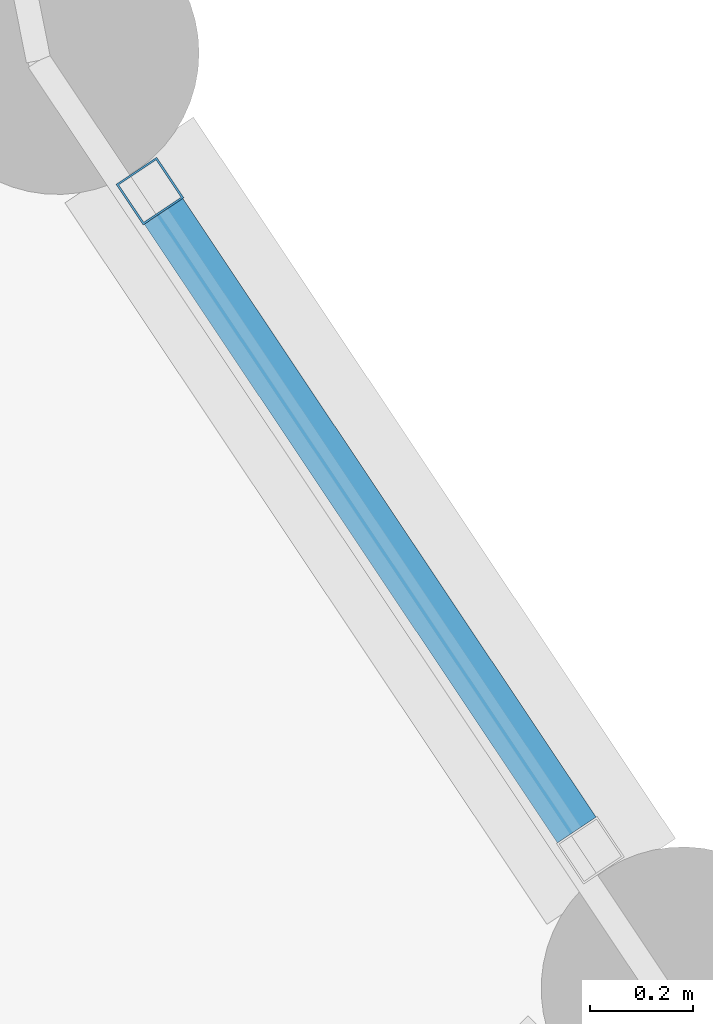
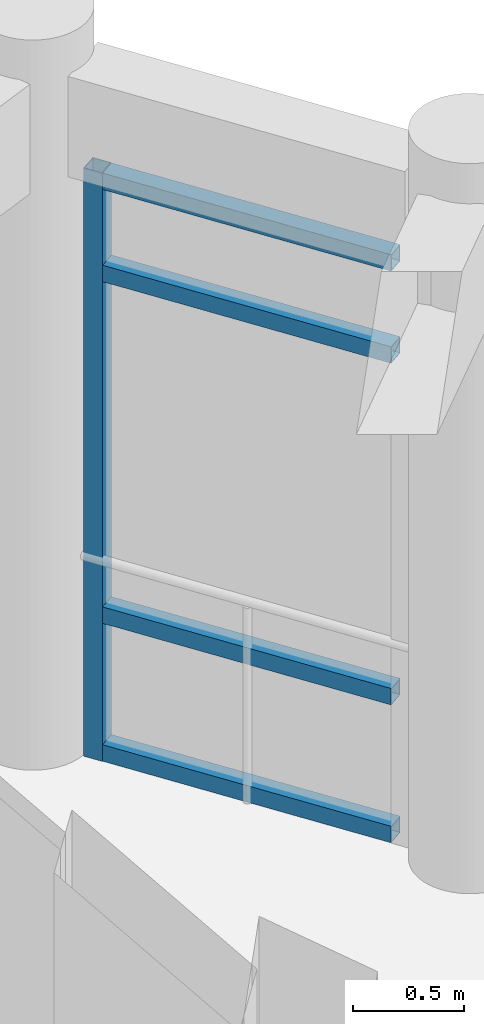
# One storey, part 9 of 159: 5 members, 1 element without a shape of its own.
"""IFC4 building model written with IfcOpenShell, lengths in metres."""

import ifcopenshell
import ifcopenshell.guid

model = None  # the IFC model being written
_history = None  # IfcOwnerHistory: only IFC2X3 demands one
_inside = {}  # id of a spatial element -> (the spatial element, [elements in it])
_under = {}  # id of a project, library or spatial element -> (it, [spatial elements below it])
_declared = {}  # id of a project -> (the project, [libraries it declares])
_typed = {}  # id of a type object -> (the type object, [elements of that type])
_made_of = {}  # id of a material, layer set ... -> (it, [elements and type objects made of it])


def new_model(schema):
    """Start an empty IFC model of exactly this schema.

    Asked for "IFC4X3", IfcOpenShell would pick the latest addendum, in which some entities
    have other attributes; the version numbers below select the first issue.
    IFC2X3 requires an IfcOwnerHistory on every rooted entity: one is made here for all.
    """
    global model, _history
    if schema == "IFC4X3":
        model = ifcopenshell.file(schema_version=(4, 3, 0, 0))
    else:
        model = ifcopenshell.file(schema=schema)
    _inside.clear()
    _under.clear()
    _declared.clear()
    _typed.clear()
    _made_of.clear()
    _history = None
    if model.schema == "IFC2X3":
        org = make("IfcOrganization", Name="unknown")
        user = make(
            "IfcPersonAndOrganization",
            ThePerson=make("IfcPerson", FamilyName="unknown"),
            TheOrganization=org,
        )
        app = make(
            "IfcApplication",
            ApplicationDeveloper=org,
            Version="unknown",
            ApplicationFullName="unknown",
            ApplicationIdentifier="unknown",
        )
        _history = make(
            "IfcOwnerHistory",
            OwningUser=user,
            OwningApplication=app,
            ChangeAction="ADDED",
            CreationDate=0,
        )
    return model


def make(cls, **values):
    """One entity of the class cls with the attributes given. An attribute that is None is left unset."""
    return model.create_entity(
        cls, **{name: value for name, value in values.items() if value is not None}
    )


def rooted(cls, **values):
    """An entity with a GlobalId (a new one), such as an element, a storey or a relation."""
    return make(cls, GlobalId=ifcopenshell.guid.new(), OwnerHistory=_history, **values)


def si_unit(unit_type, name, prefix=None):
    """IfcSIUnit, for example si_unit("LENGTHUNIT", "METRE", prefix="MILLI")."""
    return make("IfcSIUnit", UnitType=unit_type, Prefix=prefix, Name=name)


def assignment(units):
    """IfcUnitAssignment: the units of a project."""
    return None if units is None else make("IfcUnitAssignment", Units=units)


def point(xyz):
    """IfcCartesianPoint."""
    return None if xyz is None else make("IfcCartesianPoint", Coordinates=xyz)


def direction(xyz):
    """IfcDirection."""
    return None if xyz is None else make("IfcDirection", DirectionRatios=xyz)


def frame(location, z_axis=None, x_axis=None):
    """IfcAxis2Placement3D, a coordinate frame: its origin and axes. An axis left out is left unset."""
    return make(
        "IfcAxis2Placement3D",
        Location=point(location),
        Axis=direction(z_axis),
        RefDirection=direction(x_axis),
    )


def frame_2d(location, x_axis=None):
    """IfcAxis2Placement2D, a coordinate frame in the plane: its origin and x axis."""
    return make(
        "IfcAxis2Placement2D", Location=point(location), RefDirection=direction(x_axis)
    )


def origin():
    """The frame at (0, 0, 0) with its axes left unset."""
    return frame((0.0, 0.0, 0.0))


def origin_2d():
    """The frame at (0, 0) in the plane with its x axis left unset."""
    return frame_2d((0.0, 0.0))


def place(relative_to, where):
    """IfcLocalPlacement: puts the frame where relative to a parent placement (None: the world)."""
    return make(
        "IfcLocalPlacement", PlacementRelTo=relative_to, RelativePlacement=where
    )


def context(
    kind, dimensions, precision=None, world=None, true_north=None, identifier=None
):
    """IfcGeometricRepresentationContext, for example the 3D "Model" context."""
    return make(
        "IfcGeometricRepresentationContext",
        ContextIdentifier=identifier,
        ContextType=kind,
        CoordinateSpaceDimension=dimensions,
        Precision=precision,
        WorldCoordinateSystem=world,
        TrueNorth=true_north,
    )


def subcontext(parent, identifier, kind, view, scale=None):
    """IfcGeometricRepresentationSubContext, for example "Body" below "Model"."""
    return make(
        "IfcGeometricRepresentationSubContext",
        ContextIdentifier=identifier,
        ContextType=kind,
        ParentContext=parent,
        TargetScale=scale,
        TargetView=view,
    )


def project(units=None, contexts=None):
    """IfcProject with its units and contexts."""
    return rooted(
        "IfcProject",
        Name="project",
        RepresentationContexts=contexts,
        UnitsInContext=assignment(units),
    )


def spatial(cls, under=None, at=None, **own):
    """A site, building, storey or space (cls), placed at a placement, below another one or the project."""
    s = rooted(cls, ObjectPlacement=at, **own)
    if under is not None:
        _under.setdefault(under.id(), (under, []))[1].append(s)
    return s


def profile(cls, at=None, kind="AREA", **sizes):
    """A parametric profile (cls). Its sizes go by their IFC names, for example OverallWidth=200.0."""
    return make(cls, ProfileType=kind, Position=at, **sizes)


def hollow_rectangle(**sizes):
    """IfcRectangleHollowProfileDef."""
    return profile("IfcRectangleHollowProfileDef", **sizes)


def extrude(swept, where, along, depth):
    """IfcExtrudedAreaSolid: the profile swept, set in the frame where, extruded along a direction by depth."""
    return make(
        "IfcExtrudedAreaSolid",
        SweptArea=swept,
        Position=where,
        ExtrudedDirection=direction(along),
        Depth=depth,
    )


def shape(context_of_items, identifier, shape_type, items):
    """IfcShapeRepresentation: the items that make up one representation, for example the "Body"."""
    return make(
        "IfcShapeRepresentation",
        ContextOfItems=context_of_items,
        RepresentationIdentifier=identifier,
        RepresentationType=shape_type,
        Items=items,
    )


def material(Name=None, Category=None):
    """IfcMaterial."""
    return make("IfcMaterial", Name=Name, Category=Category)


def material_profile(
    of_material, cross_section, Name=None, Category=None, Priority=None
):
    """IfcMaterialProfile: a cross section and its material."""
    return make(
        "IfcMaterialProfile",
        Name=Name,
        Material=of_material,
        Profile=cross_section,
        Priority=Priority,
        Category=Category,
    )


def profile_set(profiles, Name=None, composite=None):
    """IfcMaterialProfileSet."""
    return make(
        "IfcMaterialProfileSet",
        Name=Name,
        MaterialProfiles=profiles,
        CompositeProfile=composite,
    )


def made_of(thing, what):
    """Note that an element or type object is made of a material, layer set ...; save() writes the relation."""
    if what is not None:
        _made_of.setdefault(what.id(), (what, []))[1].append(thing)
    return thing


def type_object(cls, material=None, **own):
    """A type object (cls), such as IfcWallType, which elements share."""
    return made_of(rooted(cls, **own), material)


def element(
    cls,
    number,
    at=None,
    inside=None,
    cuts=None,
    type_object=None,
    material=None,
    context=None,
    identifier="Body",
    shape_type=None,
    held_by="IfcProductDefinitionShape",
    body=None,
    shapes=None,
    **own,
):
    """One element of the class cls, such as IfcWall. Its Tag is "e" and its number.

    at: its placement. inside: the storey or other place that contains it. cuts: it is an
    opening in that element (IfcRelVoidsElement). A single representation is given by context,
    identifier, shape_type and body (its items); several are given by shapes. held_by: the class
    of the entity that holds the representations. save() writes the other relations.
    """
    e = rooted(cls, Tag="e%d" % number, ObjectPlacement=at, **own)
    if body is not None:
        shapes = [shape(context, identifier, shape_type, body)]
    if shapes is not None:
        e.Representation = make(held_by, Representations=shapes)
    if inside is not None:
        _inside.setdefault(inside.id(), (inside, []))[1].append(e)
    if cuts is not None:
        rooted(
            "IfcRelVoidsElement", RelatingBuildingElement=cuts, RelatedOpeningElement=e
        )
    if type_object is not None:
        _typed.setdefault(type_object.id(), (type_object, []))[1].append(e)
    return made_of(e, material)


def aggregate(whole, parts):
    """IfcRelAggregates: a whole, such as a stair, and the parts it consists of."""
    return rooted("IfcRelAggregates", RelatingObject=whole, RelatedObjects=parts)


def save(model, path):
    """Write the relations noted so far, then the file.

    IfcRelAggregates (storeys below a building ...), IfcRelContainedInSpatialStructure (elements
    in a storey), IfcRelDefinesByType, IfcRelAssociatesMaterial and IfcRelDeclares: one each for
    every whole, place, type object, material and project.
    """
    for whole, parts in _under.values():
        aggregate(whole, parts)
    for where, things in _inside.values():
        rooted(
            "IfcRelContainedInSpatialStructure",
            RelatedElements=things,
            RelatingStructure=where,
        )
    for kind, things in _typed.values():
        rooted("IfcRelDefinesByType", RelatedObjects=things, RelatingType=kind)
    for what, things in _made_of.values():
        rooted("IfcRelAssociatesMaterial", RelatedObjects=things, RelatingMaterial=what)
    for by, libraries in _declared.values():
        rooted("IfcRelDeclares", RelatingContext=by, RelatedDefinitions=libraries)
    model.write(path)


model = new_model("IFC4")

# Units and contexts
model_context = context("Model", 3, precision=1e-05, world=origin(), true_north=direction((0.0, 1.0)))
body_context = subcontext(model_context, "Body", "Model", "MODEL_VIEW")
ifc_project = project(units=[si_unit("LENGTHUNIT", "METRE"), si_unit("AREAUNIT", "SQUARE_METRE"), si_unit("VOLUMEUNIT", "CUBIC_METRE"), si_unit("PLANEANGLEUNIT", "RADIAN"), si_unit("MASSUNIT", "GRAM", prefix="KILO")], contexts=[model_context])

# Site, building, storey
site_placement = place(None, origin())
site = spatial("IfcSite", under=ifc_project, at=site_placement, CompositionType="ELEMENT")
building_placement = place(site_placement, origin())
building = spatial("IfcBuilding", under=site, at=building_placement, Name="Celadon Cloister-Ring School", CompositionType="ELEMENT")
storey_placement = place(building_placement, frame((0.0, 0.0, 4.5)))
storey = spatial("IfcBuildingStorey", under=building, at=storey_placement, Name="L01", CompositionType="ELEMENT", Elevation=4.5)

# Curtain wall, members
ifc_material_1 = material(Name="Aluminium EN AW-6063 T6", Category="aluminium")
curtain_wall_type = type_object("IfcCurtainWallType", Name="CW-04", PredefinedType="USERDEFINED", material=ifc_material_1)
curtain_wall_placement = place(storey_placement, origin())
curtain_wall = element("IfcCurtainWall", 1, at=curtain_wall_placement, inside=storey, type_object=curtain_wall_type, Name="Curtain Wall 0146", ObjectType="CURTAIN WALL", PredefinedType="USERDEFINED")
ifc_material_2 = material(Name="Aluminium EN AW-6063 T6", Category="aluminium")
ifc_material_profile_1 = material_profile(ifc_material_2, hollow_rectangle(XDim=0.094970703125, YDim=0.094970703125, WallThickness=0.00390625, at=origin_2d()), Name="RHS95X95X4")
ifc_profile_set_1 = profile_set([ifc_material_profile_1], Name="Aluminium EN AW-6063 T6")
member_type_1 = type_object("IfcMemberType", Name="CM-02", PredefinedType="MULLION", material=ifc_profile_set_1)
member_1_placement = place(storey_placement, frame((15.205322265625, 17.588623046875, 0.0), z_axis=(0.0, 0.0, 1.0), x_axis=(0.831485091394, 0.555547066224, 0.0)))
member_1 = element("IfcMember", 2, at=member_1_placement, type_object=member_type_1, Name="CW-04 mullion 1", PredefinedType="MULLION", context=body_context, shape_type="SweptSolid", body=[
    extrude(hollow_rectangle(XDim=0.094970703125, YDim=0.094970703125, WallThickness=0.00390625, at=origin_2d()), origin(), (0.0, 0.0, 1.0), 3.221923828125),
])
ifc_material_3 = material(Name="Aluminium EN AW-6063 T6", Category="aluminium")
ifc_material_profile_2 = material_profile(ifc_material_3, hollow_rectangle(XDim=0.090087890625, YDim=0.090087890625, WallThickness=0.00390625, at=origin_2d()), Name="RHS90X90X4")
ifc_profile_set_2 = profile_set([ifc_material_profile_2], Name="Aluminium EN AW-6063 T6")
member_type_2 = type_object("IfcMemberType", Name="CTM-02", PredefinedType="USERDEFINED", material=ifc_profile_set_2)
member_2_placement = place(storey_placement, frame((15.231689453125, 17.549072265625, 0.044921875), z_axis=(0.555518951009, -0.831503875559, 0.0), x_axis=(0.831503875559, 0.555518951009, 0.0)))
member_2 = element("IfcMember", 3, at=member_2_placement, type_object=member_type_2, Name="CW-04 transom 1.1", ObjectType="TRANSOM", PredefinedType="USERDEFINED", context=body_context, shape_type="SweptSolid", body=[
    extrude(hollow_rectangle(XDim=0.090087890625, YDim=0.090087890625, WallThickness=0.00390625, at=origin_2d()), origin(), (0.0, 0.0, 1.0), 1.444580078125),
])
member_3_placement = place(storey_placement, frame((15.231689453125, 17.549072265625, 0.800048828125), z_axis=(0.555518951009, -0.831503875559, 0.0), x_axis=(0.831503875559, 0.555518951009, 0.0)))
member_3 = element("IfcMember", 4, at=member_3_placement, type_object=member_type_2, Name="CW-04 transom 1.2", ObjectType="TRANSOM", PredefinedType="USERDEFINED", context=body_context, shape_type="SweptSolid", body=[
    extrude(hollow_rectangle(XDim=0.090087890625, YDim=0.090087890625, WallThickness=0.00390625, at=origin_2d()), origin(), (0.0, 0.0, 1.0), 1.444580078125),
])
member_4_placement = place(storey_placement, frame((15.231689453125, 17.549072265625, 2.672119140625), z_axis=(0.555518951009, -0.831503875559, 0.0), x_axis=(0.831503875559, 0.555518951009, 0.0)))
member_4 = element("IfcMember", 5, at=member_4_placement, type_object=member_type_2, Name="CW-04 transom 1.3", ObjectType="TRANSOM", PredefinedType="USERDEFINED", context=body_context, shape_type="SweptSolid", body=[
    extrude(hollow_rectangle(XDim=0.090087890625, YDim=0.090087890625, WallThickness=0.00390625, at=origin_2d()), origin(), (0.0, 0.0, 1.0), 1.444580078125),
])
member_5_placement = place(storey_placement, frame((15.231689453125, 17.549072265625, 3.177001953125), z_axis=(0.555518951009, -0.831503875559, 0.0), x_axis=(0.831503875559, 0.555518951009, 0.0)))
member_5 = element("IfcMember", 6, at=member_5_placement, type_object=member_type_2, Name="CW-04 transom 1.4", ObjectType="TRANSOM", PredefinedType="USERDEFINED", context=body_context, shape_type="SweptSolid", body=[
    extrude(hollow_rectangle(XDim=0.090087890625, YDim=0.090087890625, WallThickness=0.00390625, at=origin_2d()), origin(), (0.0, 0.0, 1.0), 1.444580078125),
])
aggregate(curtain_wall, [member_1, member_2, member_3, member_4, member_5])

save(model, "model.ifc")
